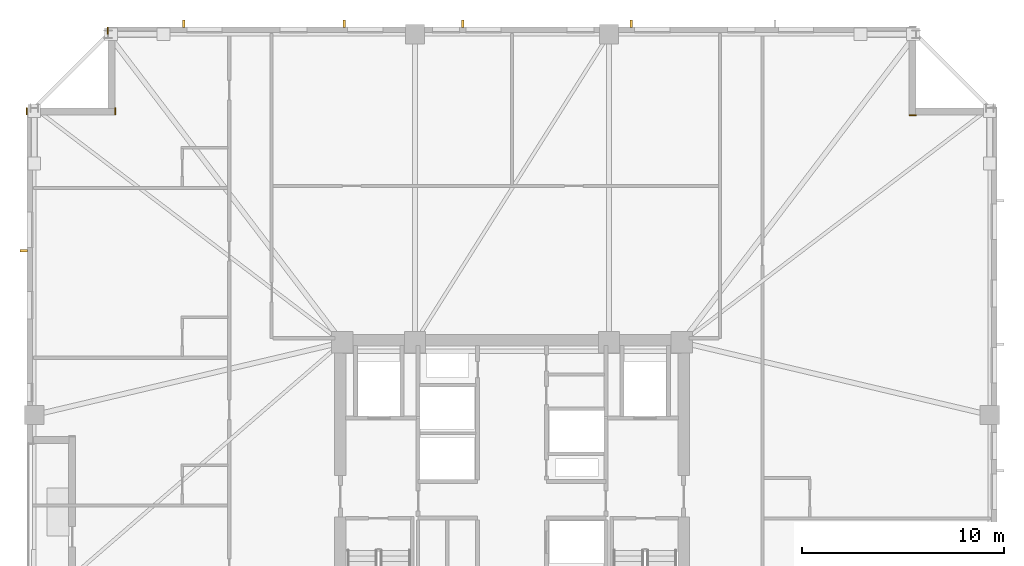
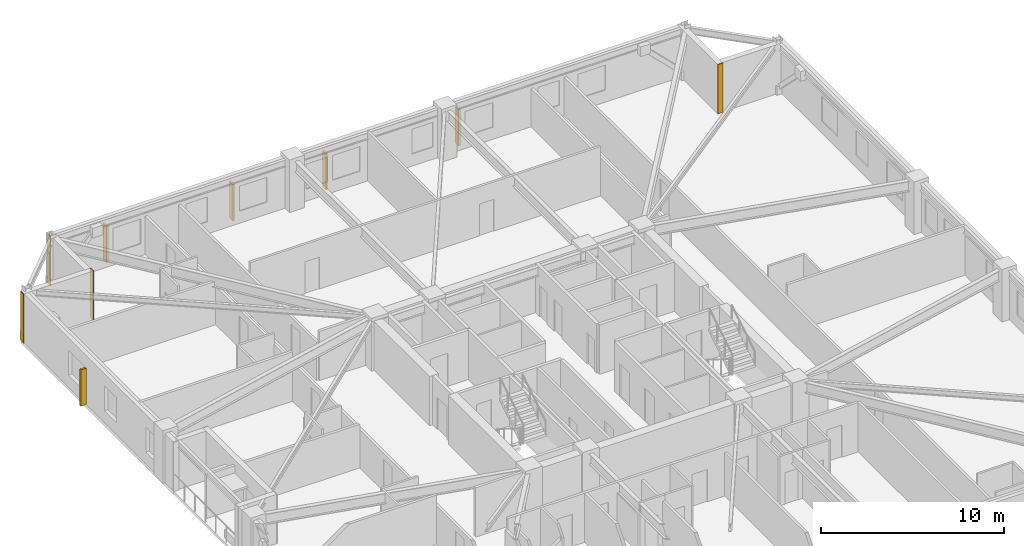
# One storey, part 10 of 11: 5 shading devices, 4 coverings.
"""IFC4 building model written with IfcOpenShell, lengths in metres."""

from ifc_helpers import new_model, si_unit, direction, frame, frame_2d, origin, origin_2d, place, context, subcontext, project, spatial, rectangle, extrude, material, layer, layer_set, type_object, element, save


model = new_model("IFC4")

# Units and contexts
model_context = context("Model", 3, precision=1e-05, world=origin(), true_north=direction((0.0, 1.0)))
body_context = subcontext(model_context, "Body", "Model", "MODEL_VIEW")
ifc_project = project(units=[si_unit("LENGTHUNIT", "METRE"), si_unit("AREAUNIT", "SQUARE_METRE"), si_unit("VOLUMEUNIT", "CUBIC_METRE"), si_unit("PLANEANGLEUNIT", "RADIAN"), si_unit("MASSUNIT", "GRAM", prefix="KILO")], contexts=[model_context])

# Site, building, storey
site_placement = place(None, origin())
site = spatial("IfcSite", under=ifc_project, at=site_placement, CompositionType="ELEMENT")
building_placement = place(site_placement, origin())
building = spatial("IfcBuilding", under=site, at=building_placement, Name="Cairnveth Concourse Tower", CompositionType="ELEMENT")
storey_placement = place(building_placement, frame((0.0, 0.0, 123.5)))
storey = spatial("IfcBuildingStorey", under=building, at=storey_placement, Name="L33", CompositionType="ELEMENT", Elevation=123.5)

# Coverings
ifc_material_1 = material(Name="Dressed Melbourne Bluestone Cladding", Category="masonry")
ifc_layer = layer(ifc_material_1, 0.050048828125)
ifc_layer_set = layer_set([ifc_layer], Name="Dressed Melbourne Bluestone Cladding")
covering_type = type_object("IfcCoveringType", Name="DRESSED BLUESTONE PLINTH CLADDING 50", PredefinedType="CLADDING", material=ifc_layer_set)
for number, where, z_axis, x_axis, name in (
    (1, (27.97998046875, 58.659912109375, 0.0), (0.0, 0.0, 1.0), (0.0, 1.0, 0.0), "Melbourne Bluestone Corner Quoin L33-468"),
    (2, (32.360107421875, 58.659912109375, 0.0), (0.0, 0.0, 1.0), (0.0, 1.0, 0.0), "Melbourne Bluestone Corner Quoin L33-469"),
    (3, (31.97998046875, 62.659912109375, 0.0), (0.0, 0.0, 1.0), (0.0, 1.0, 0.0), "Melbourne Bluestone Corner Quoin L33-470"),
    (4, (71.659912109375, 58.639892578125, 0.0), (0.0, 0.0, 1.0), (1.0, 0.0, 0.0), "Melbourne Bluestone Corner Quoin L33-472"),
):
    element("IfcCovering", number, at=place(storey_placement, frame(where, z_axis=z_axis, x_axis=x_axis)), inside=storey, type_object=covering_type, Name=name, PredefinedType="CLADDING", context=body_context, shape_type="SweptSolid", body=[
        extrude(rectangle(XDim=0.340087890625, YDim=0.050048828125, at=frame_2d((0.169921875, 0.0))), origin(), (0.0, 0.0, 1.0), 3.280029296875),
    ])

# Shading devices
ifc_material_2 = material(Name="Architectural Bronze Anodised Aluminium 6063-T6", Category="aluminium")
shading_device_type = type_object("IfcShadingDeviceType", Name="GOTHIC BRONZE VERTICAL LANCET FIN", PredefinedType="USERDEFINED", material=ifc_material_2)
for number, where, z_axis, x_axis, name in (
    (5, (27.824951171875, 51.933349609375, 0.030029296875), (0.0, 0.0, 1.0), (0.0, 1.0, 0.0), "Gothic Bronze Vertical Fin L33-0-3"),
    (6, (35.74169921875, 63.175048828125, 0.030029296875), (0.0, 0.0, 1.0), (1.0, 0.0, 0.0), "Gothic Bronze Vertical Fin L33-3-1"),
    (7, (43.698974609375, 63.175048828125, 0.030029296875), (0.0, 0.0, 1.0), (1.0, 0.0, 0.0), "Gothic Bronze Vertical Fin L33-3-3"),
    (8, (49.555908203125, 63.175048828125, 0.030029296875), (0.0, 0.0, 1.0), (1.0, 0.0, 0.0), "Gothic Bronze Vertical Fin L33-3-5"),
    (9, (57.9130859375, 63.175048828125, 0.030029296875), (0.0, 0.0, 1.0), (1.0, 0.0, 0.0), "Gothic Bronze Vertical Fin L33-3-7"),
):
    element("IfcShadingDevice", number, at=place(storey_placement, frame(where, z_axis=z_axis, x_axis=x_axis)), inside=storey, type_object=shading_device_type, Name=name, ObjectType="VERTICAL FIN", PredefinedType="USERDEFINED", context=body_context, shape_type="SweptSolid", body=[
        extrude(rectangle(XDim=0.1201171875, YDim=0.360107421875, at=origin_2d()), origin(), (0.0, 0.0, 1.0), 2.419921875),
    ])

save(model, "model.ifc")
